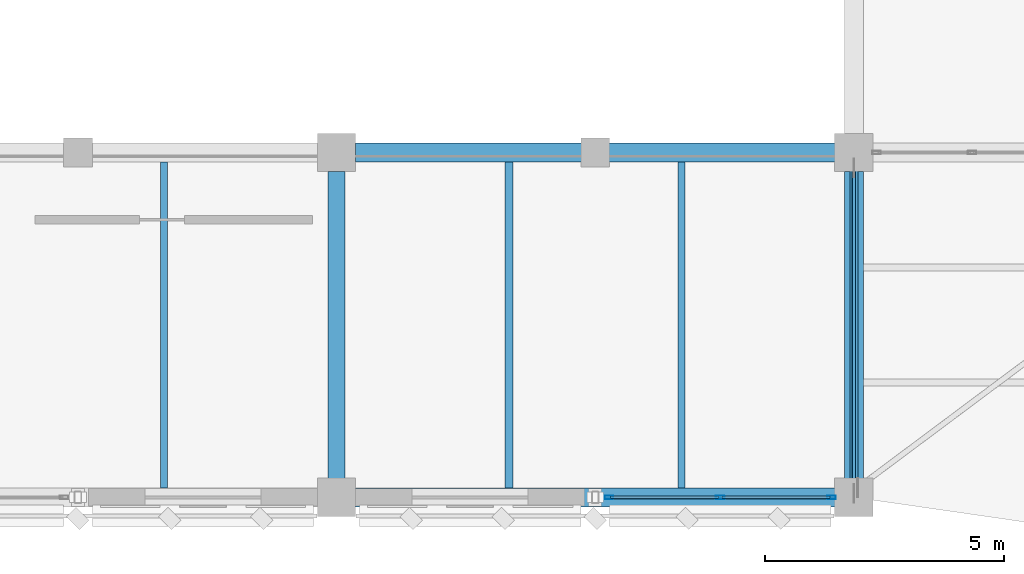
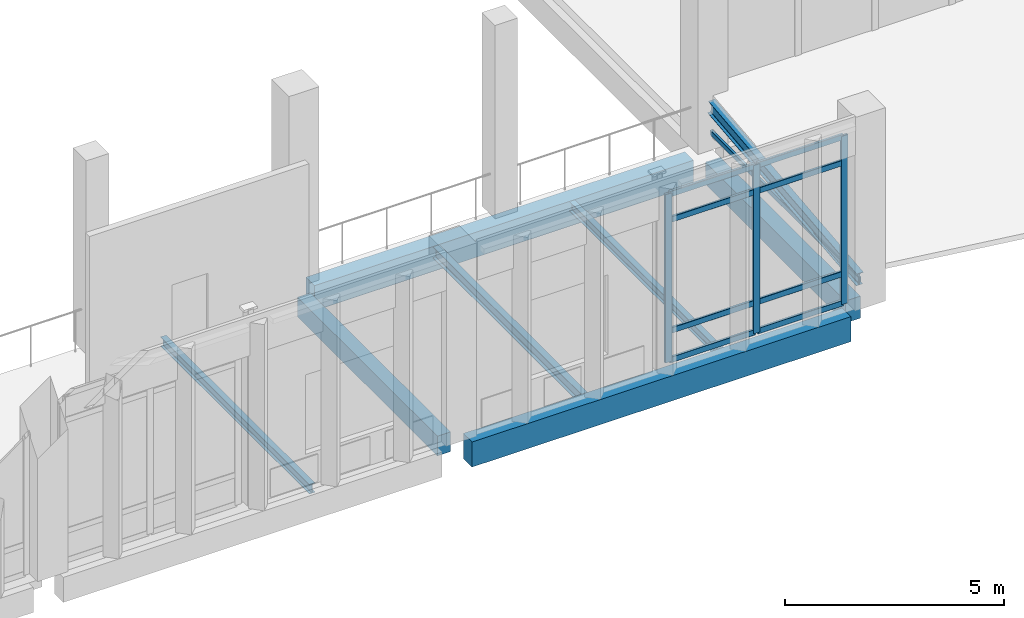
# One storey, part 32 of 180: 12 members, 8 beams, 1 element without a shape of its own.
"""IFC4 building model written with IfcOpenShell, lengths in metres."""

from ifc_helpers import new_model, si_unit, direction, frame, origin, origin_2d, place, context, subcontext, project, spatial, rectangle, hollow_rectangle, i_section, extrude, material, material_profile, profile_set, type_object, element, aggregate, save


model = new_model("IFC4")

# Units and contexts
model_context = context("Model", 3, precision=1e-05, world=origin(), true_north=direction((0.0, 1.0)))
body_context = subcontext(model_context, "Body", "Model", "MODEL_VIEW")
ifc_project = project(units=[si_unit("LENGTHUNIT", "METRE"), si_unit("AREAUNIT", "SQUARE_METRE"), si_unit("VOLUMEUNIT", "CUBIC_METRE"), si_unit("PLANEANGLEUNIT", "RADIAN"), si_unit("MASSUNIT", "GRAM", prefix="KILO")], contexts=[model_context])

# Site, building, storey
site_placement = place(None, origin())
site = spatial("IfcSite", under=ifc_project, at=site_placement, CompositionType="ELEMENT")
building_placement = place(site_placement, origin())
building = spatial("IfcBuilding", under=site, at=building_placement, Name="Lusvemor Sports Hall", CompositionType="ELEMENT")
storey_placement = place(building_placement, frame((0.0, 0.0, 5.39990234375)))
storey = spatial("IfcBuildingStorey", under=building, at=storey_placement, Name="L01", CompositionType="ELEMENT", Elevation=5.39990234375)

# Beams
ifc_material_1 = material(Name="Concrete C40/50", Category="concrete")
ifc_material_profile_1 = material_profile(ifc_material_1, rectangle(XDim=0.35009765625, YDim=0.550048828125, at=origin_2d()), Name="RC350x550")
ifc_profile_set_1 = profile_set([ifc_material_profile_1], Name="Concrete C40/50")
beam_type_1 = type_object("IfcBeamType", Name="BEAM_RC_550", PredefinedType="BEAM", material=ifc_profile_set_1)
beam_1_placement = place(storey_placement, frame((64.800048828125, 0.39599609375, -0.554931640625), z_axis=(0.0, 1.0, 0.0), x_axis=(-1.0, 0.0, 0.0)))
element("IfcBeam", 1, at=beam_1_placement, inside=storey, type_object=beam_type_1, Name="Beam L01 7:A-B", PredefinedType="BEAM", context=body_context, shape_type="SweptSolid", body=[
    extrude(rectangle(XDim=0.35009765625, YDim=0.550048828125, at=origin_2d()), origin(), (0.0, 0.0, 1.0), 6.407958984375),
])
ifc_material_2 = material(Name="Steel S355", Category="steel")
ifc_material_profile_2 = material_profile(ifc_material_2, i_section(OverallWidth=0.1708984375, OverallDepth=0.35498046875, WebThickness=0.007080078125, FlangeThickness=0.01171875, FilletRadius=0.014892578125, at=origin_2d()), Name="W360x51.0")
ifc_profile_set_2 = profile_set([ifc_material_profile_2], Name="Steel S355")
beam_type_2 = type_object("IfcBeamType", Name="BEAM_ST_360", PredefinedType="BEAM", material=ifc_profile_set_2)
beam_2_placement = place(storey_placement, frame((75.60009765625, 0.080078125, 0.461181640625), z_axis=(0.0, 0.99461932884, 0.103597252368), x_axis=(-1.0, 0.0, 0.0)))
element("IfcBeam", 2, at=beam_2_placement, inside=storey, type_object=beam_type_2, Name="Boulevard Canopy Rafter 8", PredefinedType="BEAM", context=body_context, shape_type="SweptSolid", body=[
    extrude(i_section(OverallWidth=0.1708984375, OverallDepth=0.35498046875, WebThickness=0.007080078125, FlangeThickness=0.01171875, FilletRadius=0.014892578125, at=origin_2d()), origin(), (0.0, 0.0, 1.0), 6.836669921875),
])

# Curtain wall, members
ifc_material_3 = material(Name="Thermally broken bronze-anodized aluminium", Category="aluminium")
curtain_wall_type = type_object("IfcCurtainWallType", Name="CW_COURT_C", PredefinedType="NOTDEFINED", material=ifc_material_3)
curtain_wall_placement = place(storey_placement, origin())
curtain_wall = element("IfcCurtainWall", 3, at=curtain_wall_placement, inside=storey, type_object=curtain_wall_type, Name="Curtain Wall CW-V1S-L01-6-2", PredefinedType="NOTDEFINED")
ifc_material_4 = material(Name="Thermally broken bronze-anodized aluminium", Category="aluminium")
ifc_material_profile_3 = material_profile(ifc_material_4, hollow_rectangle(XDim=0.070068359375, YDim=0.179931640625, WallThickness=0.0048828125, InnerFilletRadius=0.0048828125, OuterFilletRadius=0.010009765625, at=origin_2d()), Name="CWMUL180x70x5")
ifc_profile_set_3 = profile_set([ifc_material_profile_3], Name="Thermally broken bronze-anodized aluminium")
member_type_1 = type_object("IfcMemberType", Name="CW_MUL_A", PredefinedType="MULLION", material=ifc_profile_set_3)
member_1_placement = place(storey_placement, frame((75.135009765625, 0.0, 0.0), z_axis=(0.0, 0.0, 1.0), x_axis=(0.0, -1.0, 0.0)))
member_1 = element("IfcMember", 4, at=member_1_placement, type_object=member_type_1, Name="CW03 mullion 1", PredefinedType="MULLION", context=body_context, shape_type="SweptSolid", body=[
    extrude(hollow_rectangle(XDim=0.070068359375, YDim=0.179931640625, WallThickness=0.0048828125, InnerFilletRadius=0.0048828125, OuterFilletRadius=0.010009765625, at=origin_2d()), origin(), (0.0, 0.0, 1.0), 4.7001953125),
])
member_2_placement = place(storey_placement, frame((72.81005859375, 0.0, 0.0), z_axis=(0.0, 0.0, 1.0), x_axis=(0.0, -1.0, 0.0)))
member_2 = element("IfcMember", 5, at=member_2_placement, type_object=member_type_1, Name="CW03 mullion 2", PredefinedType="MULLION", context=body_context, shape_type="SweptSolid", body=[
    extrude(hollow_rectangle(XDim=0.070068359375, YDim=0.179931640625, WallThickness=0.0048828125, InnerFilletRadius=0.0048828125, OuterFilletRadius=0.010009765625, at=origin_2d()), origin(), (0.0, 0.0, 1.0), 4.7001953125),
])
member_3_placement = place(storey_placement, frame((70.485107421875, 0.0, 0.0), z_axis=(0.0, 0.0, 1.0), x_axis=(0.0, -1.0, 0.0)))
member_3 = element("IfcMember", 6, at=member_3_placement, type_object=member_type_1, Name="CW03 mullion 3", PredefinedType="MULLION", context=body_context, shape_type="SweptSolid", body=[
    extrude(hollow_rectangle(XDim=0.070068359375, YDim=0.179931640625, WallThickness=0.0048828125, InnerFilletRadius=0.0048828125, OuterFilletRadius=0.010009765625, at=origin_2d()), origin(), (0.0, 0.0, 1.0), 4.7001953125),
])
ifc_material_5 = material(Name="Thermally broken bronze-anodized aluminium", Category="aluminium")
ifc_material_profile_4 = material_profile(ifc_material_5, hollow_rectangle(XDim=0.06494140625, YDim=0.159912109375, WallThickness=0.00390625, InnerFilletRadius=0.00390625, OuterFilletRadius=0.008056640625, at=origin_2d()), Name="CWTRN160x65x4")
ifc_profile_set_4 = profile_set([ifc_material_profile_4], Name="Thermally broken bronze-anodized aluminium")
member_type_2 = type_object("IfcMemberType", Name="CW_TRN_A", PredefinedType="USERDEFINED", material=ifc_profile_set_4)
member_4_placement = place(storey_placement, frame((75.10009765625, 0.0, 0.03271484375), z_axis=(-1.0, 0.0, 0.0), x_axis=(0.0, -1.0, 0.0)))
member_4 = element("IfcMember", 7, at=member_4_placement, type_object=member_type_2, Name="CW03 transom 1.1", ObjectType="TRANSOM", PredefinedType="USERDEFINED", context=body_context, shape_type="SweptSolid", body=[
    extrude(hollow_rectangle(XDim=0.06494140625, YDim=0.159912109375, WallThickness=0.00390625, InnerFilletRadius=0.00390625, OuterFilletRadius=0.008056640625, at=origin_2d()), origin(), (0.0, 0.0, 1.0), 2.255126953125),
])
member_5_placement = place(storey_placement, frame((75.10009765625, 0.0, 0.85009765625), z_axis=(-1.0, 0.0, 0.0), x_axis=(0.0, -1.0, 0.0)))
member_5 = element("IfcMember", 8, at=member_5_placement, type_object=member_type_2, Name="CW03 transom 1.2", ObjectType="TRANSOM", PredefinedType="USERDEFINED", context=body_context, shape_type="SweptSolid", body=[
    extrude(hollow_rectangle(XDim=0.06494140625, YDim=0.159912109375, WallThickness=0.00390625, InnerFilletRadius=0.00390625, OuterFilletRadius=0.008056640625, at=origin_2d()), origin(), (0.0, 0.0, 1.0), 2.255126953125),
])
member_6_placement = place(storey_placement, frame((75.10009765625, 0.0, 3.9501953125), z_axis=(-1.0, 0.0, 0.0), x_axis=(0.0, -1.0, 0.0)))
member_6 = element("IfcMember", 9, at=member_6_placement, type_object=member_type_2, Name="CW03 transom 1.3", ObjectType="TRANSOM", PredefinedType="USERDEFINED", context=body_context, shape_type="SweptSolid", body=[
    extrude(hollow_rectangle(XDim=0.06494140625, YDim=0.159912109375, WallThickness=0.00390625, InnerFilletRadius=0.00390625, OuterFilletRadius=0.008056640625, at=origin_2d()), origin(), (0.0, 0.0, 1.0), 2.255126953125),
])
member_7_placement = place(storey_placement, frame((75.10009765625, 0.0, 4.66748046875), z_axis=(-1.0, 0.0, 0.0), x_axis=(0.0, -1.0, 0.0)))
member_7 = element("IfcMember", 10, at=member_7_placement, type_object=member_type_2, Name="CW03 transom 1.4", ObjectType="TRANSOM", PredefinedType="USERDEFINED", context=body_context, shape_type="SweptSolid", body=[
    extrude(hollow_rectangle(XDim=0.06494140625, YDim=0.159912109375, WallThickness=0.00390625, InnerFilletRadius=0.00390625, OuterFilletRadius=0.008056640625, at=origin_2d()), origin(), (0.0, 0.0, 1.0), 2.255126953125),
])
member_8_placement = place(storey_placement, frame((72.77490234375, 0.0, 0.03271484375), z_axis=(-1.0, 0.0, 0.0), x_axis=(0.0, -1.0, 0.0)))
member_8 = element("IfcMember", 11, at=member_8_placement, type_object=member_type_2, Name="CW03 transom 2.1", ObjectType="TRANSOM", PredefinedType="USERDEFINED", context=body_context, shape_type="SweptSolid", body=[
    extrude(hollow_rectangle(XDim=0.06494140625, YDim=0.159912109375, WallThickness=0.00390625, InnerFilletRadius=0.00390625, OuterFilletRadius=0.008056640625, at=origin_2d()), origin(), (0.0, 0.0, 1.0), 2.2548828125),
])
member_9_placement = place(storey_placement, frame((72.77490234375, 0.0, 0.85009765625), z_axis=(-1.0, 0.0, 0.0), x_axis=(0.0, -1.0, 0.0)))
member_9 = element("IfcMember", 12, at=member_9_placement, type_object=member_type_2, Name="CW03 transom 2.2", ObjectType="TRANSOM", PredefinedType="USERDEFINED", context=body_context, shape_type="SweptSolid", body=[
    extrude(hollow_rectangle(XDim=0.06494140625, YDim=0.159912109375, WallThickness=0.00390625, InnerFilletRadius=0.00390625, OuterFilletRadius=0.008056640625, at=origin_2d()), origin(), (0.0, 0.0, 1.0), 2.2548828125),
])
member_10_placement = place(storey_placement, frame((72.77490234375, 0.0, 3.9501953125), z_axis=(-1.0, 0.0, 0.0), x_axis=(0.0, -1.0, 0.0)))
member_10 = element("IfcMember", 13, at=member_10_placement, type_object=member_type_2, Name="CW03 transom 2.3", ObjectType="TRANSOM", PredefinedType="USERDEFINED", context=body_context, shape_type="SweptSolid", body=[
    extrude(hollow_rectangle(XDim=0.06494140625, YDim=0.159912109375, WallThickness=0.00390625, InnerFilletRadius=0.00390625, OuterFilletRadius=0.008056640625, at=origin_2d()), origin(), (0.0, 0.0, 1.0), 2.2548828125),
])
member_11_placement = place(storey_placement, frame((72.77490234375, 0.0, 4.66748046875), z_axis=(-1.0, 0.0, 0.0), x_axis=(0.0, -1.0, 0.0)))
member_11 = element("IfcMember", 14, at=member_11_placement, type_object=member_type_2, Name="CW03 transom 2.4", ObjectType="TRANSOM", PredefinedType="USERDEFINED", context=body_context, shape_type="SweptSolid", body=[
    extrude(hollow_rectangle(XDim=0.06494140625, YDim=0.159912109375, WallThickness=0.00390625, InnerFilletRadius=0.00390625, OuterFilletRadius=0.008056640625, at=origin_2d()), origin(), (0.0, 0.0, 1.0), 2.2548828125),
])
aggregate(curtain_wall, [member_1, member_2, member_3, member_4, member_5, member_6, member_7, member_8, member_9, member_10, member_11])

# Beams
ifc_material_6 = material(Name="Steel S355", Category="steel")
ifc_material_profile_5 = material_profile(ifc_material_6, i_section(OverallWidth=0.14794921875, OverallDepth=0.26611328125, WebThickness=0.007568359375, FlangeThickness=0.012939453125, FilletRadius=0.012939453125, at=origin_2d()), Name="W250x44.8")
ifc_profile_set_5 = profile_set([ifc_material_profile_5], Name="Steel S355")
beam_type_3 = type_object("IfcBeamType", Name="JOIST_ST_250M", PredefinedType="JOIST", material=ifc_profile_set_5)
for number, where, z_axis, x_axis, name in (
    (15, (61.199951171875, 0.196044921875, -0.4169921875), (0.0, 1.0, 0.0), (-1.0, 0.0, 0.0), "Secondary Joist L01 6-7/A-B #2"),
    (16, (72.0, 0.196044921875, -0.4169921875), (0.0, 1.0, 0.0), (-1.0, 0.0, 0.0), "Secondary Joist L01 7-8/A-B #2"),
):
    element("IfcBeam", number, at=place(storey_placement, frame(where, z_axis=z_axis, x_axis=x_axis)), inside=storey, type_object=beam_type_3, Name=name, PredefinedType="JOIST", context=body_context, shape_type="SweptSolid", body=[
        extrude(i_section(OverallWidth=0.14794921875, OverallDepth=0.26611328125, WebThickness=0.007568359375, FlangeThickness=0.012939453125, FilletRadius=0.012939453125, at=origin_2d()), origin(), (0.0, 0.0, 1.0), 6.807861328125),
    ])
ifc_material_7 = material(Name="Steel S355", Category="steel")
ifc_material_profile_6 = material_profile(ifc_material_7, i_section(OverallWidth=0.1669921875, OverallDepth=0.31689453125, WebThickness=0.007568359375, FlangeThickness=0.01318359375, FilletRadius=0.014892578125, at=origin_2d()), Name="W310x52.0")
ifc_profile_set_6 = profile_set([ifc_material_profile_6], Name="Steel S355")
beam_type_4 = type_object("IfcBeamType", Name="JOIST_ST_310M", PredefinedType="JOIST", material=ifc_profile_set_6)
beam_3_placement = place(storey_placement, frame((68.39990234375, 0.196044921875, -0.4423828125), z_axis=(0.0, 1.0, 0.0), x_axis=(-1.0, 0.0, 0.0)))
element("IfcBeam", 17, at=beam_3_placement, inside=storey, type_object=beam_type_4, Name="Secondary Joist L01 7-8/A-B #1", PredefinedType="JOIST", context=body_context, shape_type="SweptSolid", body=[
    extrude(i_section(OverallWidth=0.1669921875, OverallDepth=0.31689453125, WebThickness=0.007568359375, FlangeThickness=0.01318359375, FilletRadius=0.014892578125, at=origin_2d()), origin(), (0.0, 0.0, 1.0), 6.807861328125),
])
ifc_material_8 = material(Name="Concrete C40/50", Category="concrete")
ifc_material_profile_7 = material_profile(ifc_material_8, rectangle(XDim=0.39990234375, YDim=0.610107421875, at=origin_2d()), Name="RC400x610")
ifc_profile_set_7 = profile_set([ifc_material_profile_7], Name="Concrete C40/50")
beam_type_5 = type_object("IfcBeamType", Name="SPAND_EXT_650", PredefinedType="SPANDREL", material=ifc_profile_set_7)
beam_4_placement = place(storey_placement, frame((75.60009765625, 0.39599609375, -0.5849609375), z_axis=(0.0, 1.0, 0.0), x_axis=(-1.0, 0.0, 0.0)))
element("IfcBeam", 18, at=beam_4_placement, inside=storey, type_object=beam_type_5, Name="Beam L01 8:A-B", PredefinedType="SPANDREL", context=body_context, shape_type="SweptSolid", body=[
    extrude(rectangle(XDim=0.39990234375, YDim=0.610107421875, at=origin_2d()), origin(), (0.0, 0.0, 1.0), 6.407958984375),
])
ifc_material_9 = material(Name="Concrete C40/50", Category="concrete")
ifc_material_profile_8 = material_profile(ifc_material_9, rectangle(XDim=0.39990234375, YDim=0.699951171875, at=origin_2d()), Name="RC400x700")
ifc_profile_set_8 = profile_set([ifc_material_profile_8], Name="Concrete C40/50")
beam_type_6 = type_object("IfcBeamType", Name="SPAND_EXT_700", PredefinedType="SPANDREL", material=ifc_profile_set_8)
for number, where, z_axis, x_axis, name in (
    (19, (65.196044921875, 0.0, -0.6298828125), (1.0, 0.0, 0.0), (0.0, 1.0, 0.0), "Beam L01 A:7-8"),
    (20, (65.196044921875, 7.199951171875, -0.6298828125), (1.0, 0.0, 0.0), (0.0, 1.0, 0.0), "Beam L01 B:7-8"),
):
    element("IfcBeam", number, at=place(storey_placement, frame(where, z_axis=z_axis, x_axis=x_axis)), inside=storey, type_object=beam_type_6, Name=name, PredefinedType="SPANDREL", context=body_context, shape_type="SweptSolid", body=[
        extrude(rectangle(XDim=0.39990234375, YDim=0.699951171875, at=origin_2d()), origin(), (0.0, 0.0, 1.0), 10.008056640625),
    ])

# Member
ifc_material_10 = material(Name="Steel S355", Category="steel")
ifc_material_profile_9 = material_profile(ifc_material_10, hollow_rectangle(XDim=0.070068359375, YDim=0.139892578125, WallThickness=0.0048828125, InnerFilletRadius=0.0048828125, OuterFilletRadius=0.010009765625, at=origin_2d()), Name="RHS140x70x5")
ifc_profile_set_9 = profile_set([ifc_material_profile_9], Name="Steel S355")
member_type_3 = type_object("IfcMemberType", Name="STRUT_TIE_140", PredefinedType="STRUT", material=ifc_profile_set_9)
member_12_placement = place(storey_placement, frame((75.60009765625, 0.080078125, 0.440185546875), z_axis=(0.0, 1.0, 0.0), x_axis=(-1.0, 0.0, 0.0)))
element("IfcMember", 21, at=member_12_placement, inside=storey, type_object=member_type_3, Name="Canopy Tie Rod 8", PredefinedType="STRUT", context=body_context, shape_type="SweptSolid", body=[
    extrude(hollow_rectangle(XDim=0.070068359375, YDim=0.139892578125, WallThickness=0.0048828125, InnerFilletRadius=0.0048828125, OuterFilletRadius=0.010009765625, at=origin_2d()), origin(), (0.0, 0.0, 1.0), 6.7998046875),
])

save(model, "model.ifc")
